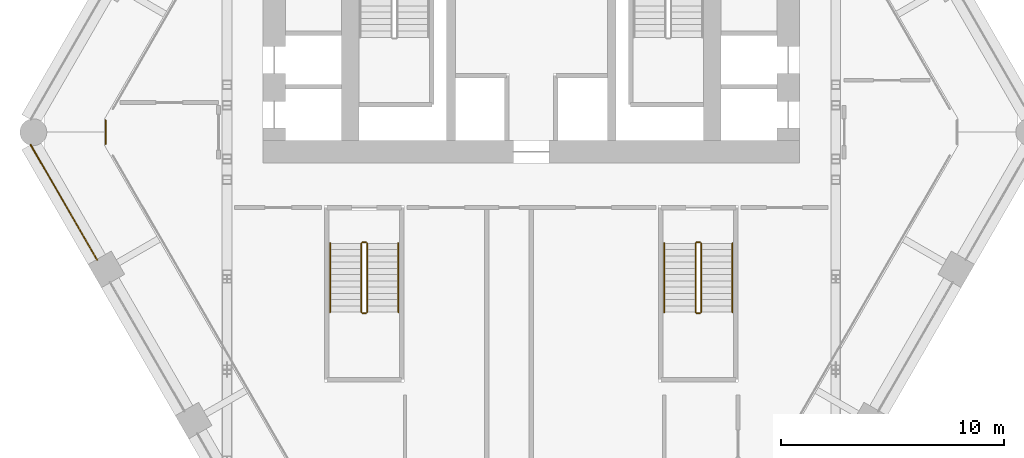
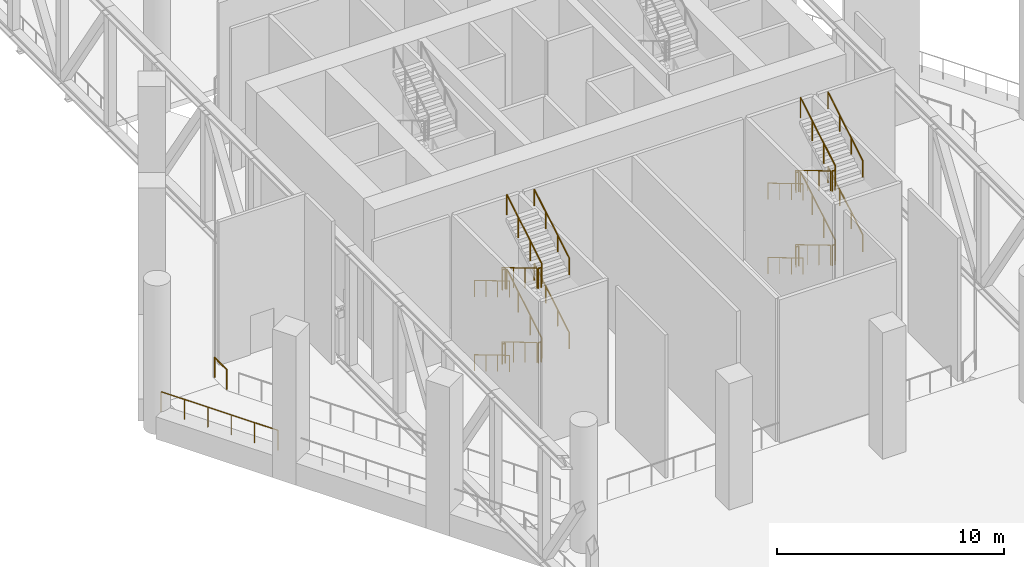
# One storey, part 13 of 16: 26 railings.
"""IFC4 building model written with IfcOpenShell, lengths in metres."""

from ifc_helpers import new_model, si_unit, direction, frame, origin, origin_2d, place, context, subcontext, project, spatial, circle, extrude, material, type_object, element, save


model = new_model("IFC4")

# Units and contexts
model_context = context("Model", 3, precision=1e-05, world=origin(), true_north=direction((0.0, 1.0)))
body_context = subcontext(model_context, "Body", "Model", "MODEL_VIEW")
ifc_project = project(units=[si_unit("LENGTHUNIT", "METRE"), si_unit("AREAUNIT", "SQUARE_METRE"), si_unit("VOLUMEUNIT", "CUBIC_METRE"), si_unit("PLANEANGLEUNIT", "RADIAN"), si_unit("MASSUNIT", "GRAM", prefix="KILO")], contexts=[model_context])

# Site, building, storey
site_placement = place(None, origin())
site = spatial("IfcSite", under=ifc_project, at=site_placement, CompositionType="ELEMENT")
building_placement = place(site_placement, origin())
building = spatial("IfcBuilding", under=site, at=building_placement, Name="Ostrander Bayou Hotel Tower", CompositionType="ELEMENT")
storey_placement = place(building_placement, frame((0.0, 0.0, 108.0)))
storey = spatial("IfcBuildingStorey", under=building, at=storey_placement, Name="L27", CompositionType="ELEMENT", Elevation=108.0)

# Railings
ifc_material_1 = material(Name="Stainless steel and clear glass", Category="steel")
railing_type_1 = type_object("IfcRailingType", Name="GR1 guard 1100 mm", PredefinedType="GUARDRAIL", material=ifc_material_1)
railing_1_placement = place(storey_placement, frame((-22.406494140625, -0.890869140625, 0.0)))
element("IfcRailing", 1, at=railing_1_placement, inside=storey, type_object=railing_type_1, Name="GR1 L27 SW-1 open band guard", PredefinedType="GUARDRAIL", context=body_context, shape_type="SweptSolid", body=[
    extrude(circle(Radius=0.02490234375, at=origin_2d()), frame((0.0, 0.0, 1.0751953125), z_axis=(0.500001626982, -0.866024464444, 0.0), x_axis=(0.866024464444, 0.500001626982, 0.0)), (0.0, 0.0, 1.0), 5.955078125),
    extrude(circle(Radius=0.02001953125, at=origin_2d()), origin(), (0.0, 0.0, 1.0), 1.050048828125),
    extrude(circle(Radius=0.02001953125, at=origin_2d()), frame((0.595458984375, -1.031494140625, 0.0)), (0.0, 0.0, 1.0), 1.050048828125),
    extrude(circle(Radius=0.02001953125, at=origin_2d()), frame((1.19091796875, -2.06298828125, 0.0)), (0.0, 0.0, 1.0), 1.050048828125),
    extrude(circle(Radius=0.02001953125, at=origin_2d()), frame((1.78662109375, -3.09423828125, 0.0)), (0.0, 0.0, 1.0), 1.050048828125),
    extrude(circle(Radius=0.02001953125, at=origin_2d()), frame((2.382080078125, -4.125732421875, 0.0)), (0.0, 0.0, 1.0), 1.050048828125),
    extrude(circle(Radius=0.02001953125, at=origin_2d()), frame((2.9775390625, -5.1572265625, 0.0)), (0.0, 0.0, 1.0), 1.050048828125),
])
railing_2_placement = place(storey_placement, frame((-19.046875, 0.205078125, 0.0)))
element("IfcRailing", 2, at=railing_2_placement, inside=storey, type_object=railing_type_1, Name="GR1 L27 corner guard 2", PredefinedType="GUARDRAIL", context=body_context, shape_type="SweptSolid", body=[
    extrude(circle(Radius=0.02490234375, at=origin_2d()), frame((0.0, 0.0, 1.0751953125), z_axis=(0.0, -1.0, 0.0), x_axis=(1.0, 0.0, 0.0)), (0.0, 0.0, 1.0), 1.06494140625),
    extrude(circle(Radius=0.02001953125, at=origin_2d()), origin(), (0.0, 0.0, 1.0), 1.050048828125),
    extrude(circle(Radius=0.02001953125, at=origin_2d()), frame((0.0, -1.06494140625, 0.0)), (0.0, 0.0, 1.0), 1.050048828125),
])
ifc_material_2 = material(Name="Steel ASTM A500 Gr C", Category="steel")
railing_type_2 = type_object("IfcRailingType", Name="GR1 stair guard 1100 mm steel", PredefinedType="GUARDRAIL", material=ifc_material_2)
railing_3_placement = place(storey_placement, frame((7.35009765625, -5.300048828125, 0.166748046875)))
element("IfcRailing", 3, at=railing_3_placement, inside=storey, type_object=railing_type_2, Name="L27 STC stair guard 1", PredefinedType="GUARDRAIL", context=body_context, shape_type="SweptSolid", body=[
    extrude(circle(Radius=0.02392578125, at=origin_2d()), frame((0.0, 0.0, 1.076171875), z_axis=(0.0, -0.859290745958, 0.51148745235), x_axis=(1.0, 0.0, 0.0)), (0.0, 0.0, 1.0), 3.584228515625),
    extrude(circle(Radius=0.02099609375, at=origin_2d()), origin(), (0.0, 0.0, 1.0), 1.052001953125),
    extrude(circle(Radius=0.02099609375, at=origin_2d()), frame((0.0, -1.026611328125, 0.611083984375)), (0.0, 0.0, 1.0), 1.052001953125),
    extrude(circle(Radius=0.02099609375, at=origin_2d()), frame((0.0, -2.05322265625, 1.22216796875)), (0.0, 0.0, 1.0), 1.052001953125),
    extrude(circle(Radius=0.02099609375, at=origin_2d()), frame((0.0, -3.079833984375, 1.833251953125)), (0.0, 0.0, 1.0), 1.052001953125),
])
railing_4_placement = place(storey_placement, frame((7.39990234375, -8.429931640625, 2.0)))
element("IfcRailing", 4, at=railing_4_placement, inside=storey, type_object=railing_type_2, Name="L27 STC stair guard 2", PredefinedType="GUARDRAIL", context=body_context, shape_type="SweptSolid", body=[
    extrude(circle(Radius=0.02392578125, at=origin_2d()), frame((0.0, 0.0, 1.076171875), z_axis=(1.0, 0.0, 0.0), x_axis=(0.0, 1.0, 0.0)), (0.0, 0.0, 1.0), 0.150146484375),
    extrude(circle(Radius=0.02099609375, at=origin_2d()), origin(), (0.0, 0.0, 1.0), 1.052001953125),
    extrude(circle(Radius=0.02099609375, at=origin_2d()), frame((0.150146484375, 0.0, 0.0)), (0.0, 0.0, 1.0), 1.052001953125),
])
railing_5_placement = place(storey_placement, frame((7.60009765625, -8.3798828125, 2.166748046875)))
element("IfcRailing", 5, at=railing_5_placement, inside=storey, type_object=railing_type_2, Name="L27 STC stair guard 3", PredefinedType="GUARDRAIL", context=body_context, shape_type="SweptSolid", body=[
    extrude(circle(Radius=0.02392578125, at=origin_2d()), frame((0.0, 0.0, 1.076171875), z_axis=(0.0, 0.859290745958, 0.51148745235), x_axis=(-1.0, 0.0, 0.0)), (0.0, 0.0, 1.0), 3.584228515625),
    extrude(circle(Radius=0.02099609375, at=origin_2d()), origin(), (0.0, 0.0, 1.0), 1.052001953125),
    extrude(circle(Radius=0.02099609375, at=origin_2d()), frame((0.0, 1.026611328125, 0.611083984375)), (0.0, 0.0, 1.0), 1.052001953125),
    extrude(circle(Radius=0.02099609375, at=origin_2d()), frame((0.0, 2.05322265625, 1.22216796875)), (0.0, 0.0, 1.0), 1.052001953125),
    extrude(circle(Radius=0.02099609375, at=origin_2d()), frame((0.0, 3.079833984375, 1.833251953125)), (0.0, 0.0, 1.0), 1.052001953125),
])
railing_6_placement = place(storey_placement, frame((7.39990234375, -5.25, 4.0)))
element("IfcRailing", 6, at=railing_6_placement, inside=storey, type_object=railing_type_2, Name="L27 STC stair guard 4", PredefinedType="GUARDRAIL", context=body_context, shape_type="SweptSolid", body=[
    extrude(circle(Radius=0.02392578125, at=origin_2d()), frame((0.0, 0.0, 1.076171875), z_axis=(1.0, 0.0, 0.0), x_axis=(0.0, 1.0, 0.0)), (0.0, 0.0, 1.0), 0.150146484375),
    extrude(circle(Radius=0.02099609375, at=origin_2d()), origin(), (0.0, 0.0, 1.0), 1.052001953125),
    extrude(circle(Radius=0.02099609375, at=origin_2d()), frame((0.150146484375, 0.0, 0.0)), (0.0, 0.0, 1.0), 1.052001953125),
])
railing_7_placement = place(storey_placement, frame((7.35009765625, -5.300048828125, 4.166748046875)))
element("IfcRailing", 7, at=railing_7_placement, inside=storey, type_object=railing_type_2, Name="L27 STC stair guard 5", PredefinedType="GUARDRAIL", context=body_context, shape_type="SweptSolid", body=[
    extrude(circle(Radius=0.02392578125, at=origin_2d()), frame((0.0, 0.0, 1.076171875), z_axis=(0.0, -0.859290745958, 0.51148745235), x_axis=(1.0, 0.0, 0.0)), (0.0, 0.0, 1.0), 3.584228515625),
    extrude(circle(Radius=0.02099609375, at=origin_2d()), origin(), (0.0, 0.0, 1.0), 1.052001953125),
    extrude(circle(Radius=0.02099609375, at=origin_2d()), frame((0.0, -1.026611328125, 0.611083984375)), (0.0, 0.0, 1.0), 1.052001953125),
    extrude(circle(Radius=0.02099609375, at=origin_2d()), frame((0.0, -2.05322265625, 1.22216796875)), (0.0, 0.0, 1.0), 1.052001953125),
    extrude(circle(Radius=0.02099609375, at=origin_2d()), frame((0.0, -3.079833984375, 1.833251953125)), (0.0, 0.0, 1.0), 1.052001953125),
])
railing_8_placement = place(storey_placement, frame((7.39990234375, -8.429931640625, 6.0)))
element("IfcRailing", 8, at=railing_8_placement, inside=storey, type_object=railing_type_2, Name="L27 STC stair guard 6", PredefinedType="GUARDRAIL", context=body_context, shape_type="SweptSolid", body=[
    extrude(circle(Radius=0.02392578125, at=origin_2d()), frame((0.0, 0.0, 1.076171875), z_axis=(1.0, 0.0, 0.0), x_axis=(0.0, 1.0, 0.0)), (0.0, 0.0, 1.0), 0.150146484375),
    extrude(circle(Radius=0.02099609375, at=origin_2d()), origin(), (0.0, 0.0, 1.0), 1.052001953125),
    extrude(circle(Radius=0.02099609375, at=origin_2d()), frame((0.150146484375, 0.0, 0.0)), (0.0, 0.0, 1.0), 1.052001953125),
])
railing_9_placement = place(storey_placement, frame((7.60009765625, -8.3798828125, 6.166748046875)))
element("IfcRailing", 9, at=railing_9_placement, inside=storey, type_object=railing_type_2, Name="L27 STC stair guard 7", PredefinedType="GUARDRAIL", context=body_context, shape_type="SweptSolid", body=[
    extrude(circle(Radius=0.02392578125, at=origin_2d()), frame((0.0, 0.0, 1.076171875), z_axis=(0.0, 0.859290745958, 0.51148745235), x_axis=(-1.0, 0.0, 0.0)), (0.0, 0.0, 1.0), 3.584228515625),
    extrude(circle(Radius=0.02099609375, at=origin_2d()), origin(), (0.0, 0.0, 1.0), 1.052001953125),
    extrude(circle(Radius=0.02099609375, at=origin_2d()), frame((0.0, 1.026611328125, 0.611083984375)), (0.0, 0.0, 1.0), 1.052001953125),
    extrude(circle(Radius=0.02099609375, at=origin_2d()), frame((0.0, 2.05322265625, 1.22216796875)), (0.0, 0.0, 1.0), 1.052001953125),
    extrude(circle(Radius=0.02099609375, at=origin_2d()), frame((0.0, 3.079833984375, 1.833251953125)), (0.0, 0.0, 1.0), 1.052001953125),
])
railing_10_placement = place(storey_placement, frame((7.39990234375, -5.25, 0.0)))
element("IfcRailing", 10, at=railing_10_placement, inside=storey, type_object=railing_type_2, Name="L27 STC stair guard 8", PredefinedType="GUARDRAIL", context=body_context, shape_type="SweptSolid", body=[
    extrude(circle(Radius=0.02392578125, at=origin_2d()), frame((0.0, 0.0, 1.076171875), z_axis=(1.0, 0.0, 0.0), x_axis=(0.0, 1.0, 0.0)), (0.0, 0.0, 1.0), 0.150146484375),
    extrude(circle(Radius=0.02099609375, at=origin_2d()), origin(), (0.0, 0.0, 1.0), 1.052001953125),
    extrude(circle(Radius=0.02099609375, at=origin_2d()), frame((0.150146484375, 0.0, 0.0)), (0.0, 0.0, 1.0), 1.052001953125),
])
railing_11_placement = place(storey_placement, frame((-7.60009765625, -5.300048828125, 0.166748046875)))
element("IfcRailing", 11, at=railing_11_placement, inside=storey, type_object=railing_type_2, Name="L27 STD stair guard 1", PredefinedType="GUARDRAIL", context=body_context, shape_type="SweptSolid", body=[
    extrude(circle(Radius=0.02392578125, at=origin_2d()), frame((0.0, 0.0, 1.076171875), z_axis=(0.0, -0.859290745958, 0.51148745235), x_axis=(1.0, 0.0, 0.0)), (0.0, 0.0, 1.0), 3.584228515625),
    extrude(circle(Radius=0.02099609375, at=origin_2d()), origin(), (0.0, 0.0, 1.0), 1.052001953125),
    extrude(circle(Radius=0.02099609375, at=origin_2d()), frame((0.0, -1.026611328125, 0.611083984375)), (0.0, 0.0, 1.0), 1.052001953125),
    extrude(circle(Radius=0.02099609375, at=origin_2d()), frame((0.0, -2.05322265625, 1.22216796875)), (0.0, 0.0, 1.0), 1.052001953125),
    extrude(circle(Radius=0.02099609375, at=origin_2d()), frame((0.0, -3.079833984375, 1.833251953125)), (0.0, 0.0, 1.0), 1.052001953125),
])
railing_12_placement = place(storey_placement, frame((-7.550048828125, -8.429931640625, 2.0)))
element("IfcRailing", 12, at=railing_12_placement, inside=storey, type_object=railing_type_2, Name="L27 STD stair guard 2", PredefinedType="GUARDRAIL", context=body_context, shape_type="SweptSolid", body=[
    extrude(circle(Radius=0.02392578125, at=origin_2d()), frame((0.0, 0.0, 1.076171875), z_axis=(1.0, 0.0, 0.0), x_axis=(0.0, 1.0, 0.0)), (0.0, 0.0, 1.0), 0.150146484375),
    extrude(circle(Radius=0.02099609375, at=origin_2d()), origin(), (0.0, 0.0, 1.0), 1.052001953125),
    extrude(circle(Radius=0.02099609375, at=origin_2d()), frame((0.150146484375, 0.0, 0.0)), (0.0, 0.0, 1.0), 1.052001953125),
])
railing_13_placement = place(storey_placement, frame((-7.35009765625, -8.3798828125, 2.166748046875)))
element("IfcRailing", 13, at=railing_13_placement, inside=storey, type_object=railing_type_2, Name="L27 STD stair guard 3", PredefinedType="GUARDRAIL", context=body_context, shape_type="SweptSolid", body=[
    extrude(circle(Radius=0.02392578125, at=origin_2d()), frame((0.0, 0.0, 1.076171875), z_axis=(0.0, 0.859290745958, 0.51148745235), x_axis=(-1.0, 0.0, 0.0)), (0.0, 0.0, 1.0), 3.584228515625),
    extrude(circle(Radius=0.02099609375, at=origin_2d()), origin(), (0.0, 0.0, 1.0), 1.052001953125),
    extrude(circle(Radius=0.02099609375, at=origin_2d()), frame((0.0, 1.026611328125, 0.611083984375)), (0.0, 0.0, 1.0), 1.052001953125),
    extrude(circle(Radius=0.02099609375, at=origin_2d()), frame((0.0, 2.05322265625, 1.22216796875)), (0.0, 0.0, 1.0), 1.052001953125),
    extrude(circle(Radius=0.02099609375, at=origin_2d()), frame((0.0, 3.079833984375, 1.833251953125)), (0.0, 0.0, 1.0), 1.052001953125),
])
railing_14_placement = place(storey_placement, frame((-7.550048828125, -5.25, 4.0)))
element("IfcRailing", 14, at=railing_14_placement, inside=storey, type_object=railing_type_2, Name="L27 STD stair guard 4", PredefinedType="GUARDRAIL", context=body_context, shape_type="SweptSolid", body=[
    extrude(circle(Radius=0.02392578125, at=origin_2d()), frame((0.0, 0.0, 1.076171875), z_axis=(1.0, 0.0, 0.0), x_axis=(0.0, 1.0, 0.0)), (0.0, 0.0, 1.0), 0.150146484375),
    extrude(circle(Radius=0.02099609375, at=origin_2d()), origin(), (0.0, 0.0, 1.0), 1.052001953125),
    extrude(circle(Radius=0.02099609375, at=origin_2d()), frame((0.150146484375, 0.0, 0.0)), (0.0, 0.0, 1.0), 1.052001953125),
])
railing_15_placement = place(storey_placement, frame((-7.60009765625, -5.300048828125, 4.166748046875)))
element("IfcRailing", 15, at=railing_15_placement, inside=storey, type_object=railing_type_2, Name="L27 STD stair guard 5", PredefinedType="GUARDRAIL", context=body_context, shape_type="SweptSolid", body=[
    extrude(circle(Radius=0.02392578125, at=origin_2d()), frame((0.0, 0.0, 1.076171875), z_axis=(0.0, -0.859290745958, 0.51148745235), x_axis=(1.0, 0.0, 0.0)), (0.0, 0.0, 1.0), 3.584228515625),
    extrude(circle(Radius=0.02099609375, at=origin_2d()), origin(), (0.0, 0.0, 1.0), 1.052001953125),
    extrude(circle(Radius=0.02099609375, at=origin_2d()), frame((0.0, -1.026611328125, 0.611083984375)), (0.0, 0.0, 1.0), 1.052001953125),
    extrude(circle(Radius=0.02099609375, at=origin_2d()), frame((0.0, -2.05322265625, 1.22216796875)), (0.0, 0.0, 1.0), 1.052001953125),
    extrude(circle(Radius=0.02099609375, at=origin_2d()), frame((0.0, -3.079833984375, 1.833251953125)), (0.0, 0.0, 1.0), 1.052001953125),
])
railing_16_placement = place(storey_placement, frame((-7.550048828125, -8.429931640625, 6.0)))
element("IfcRailing", 16, at=railing_16_placement, inside=storey, type_object=railing_type_2, Name="L27 STD stair guard 6", PredefinedType="GUARDRAIL", context=body_context, shape_type="SweptSolid", body=[
    extrude(circle(Radius=0.02392578125, at=origin_2d()), frame((0.0, 0.0, 1.076171875), z_axis=(1.0, 0.0, 0.0), x_axis=(0.0, 1.0, 0.0)), (0.0, 0.0, 1.0), 0.150146484375),
    extrude(circle(Radius=0.02099609375, at=origin_2d()), origin(), (0.0, 0.0, 1.0), 1.052001953125),
    extrude(circle(Radius=0.02099609375, at=origin_2d()), frame((0.150146484375, 0.0, 0.0)), (0.0, 0.0, 1.0), 1.052001953125),
])
railing_17_placement = place(storey_placement, frame((-7.35009765625, -8.3798828125, 6.166748046875)))
element("IfcRailing", 17, at=railing_17_placement, inside=storey, type_object=railing_type_2, Name="L27 STD stair guard 7", PredefinedType="GUARDRAIL", context=body_context, shape_type="SweptSolid", body=[
    extrude(circle(Radius=0.02392578125, at=origin_2d()), frame((0.0, 0.0, 1.076171875), z_axis=(0.0, 0.859290745958, 0.51148745235), x_axis=(-1.0, 0.0, 0.0)), (0.0, 0.0, 1.0), 3.584228515625),
    extrude(circle(Radius=0.02099609375, at=origin_2d()), origin(), (0.0, 0.0, 1.0), 1.052001953125),
    extrude(circle(Radius=0.02099609375, at=origin_2d()), frame((0.0, 1.026611328125, 0.611083984375)), (0.0, 0.0, 1.0), 1.052001953125),
    extrude(circle(Radius=0.02099609375, at=origin_2d()), frame((0.0, 2.05322265625, 1.22216796875)), (0.0, 0.0, 1.0), 1.052001953125),
    extrude(circle(Radius=0.02099609375, at=origin_2d()), frame((0.0, 3.079833984375, 1.833251953125)), (0.0, 0.0, 1.0), 1.052001953125),
])
railing_18_placement = place(storey_placement, frame((-7.550048828125, -5.25, 0.0)))
element("IfcRailing", 18, at=railing_18_placement, inside=storey, type_object=railing_type_2, Name="L27 STD stair guard 8", PredefinedType="GUARDRAIL", context=body_context, shape_type="SweptSolid", body=[
    extrude(circle(Radius=0.02392578125, at=origin_2d()), frame((0.0, 0.0, 1.076171875), z_axis=(1.0, 0.0, 0.0), x_axis=(0.0, 1.0, 0.0)), (0.0, 0.0, 1.0), 0.150146484375),
    extrude(circle(Radius=0.02099609375, at=origin_2d()), origin(), (0.0, 0.0, 1.0), 1.052001953125),
    extrude(circle(Radius=0.02099609375, at=origin_2d()), frame((0.150146484375, 0.0, 0.0)), (0.0, 0.0, 1.0), 1.052001953125),
])
ifc_material_3 = material(Name="Steel ASTM A500 Gr C", Category="steel")
railing_type_3 = type_object("IfcRailingType", Name="HR1 stair handrail 900 mm steel", PredefinedType="HANDRAIL", material=ifc_material_3)
railing_19_placement = place(storey_placement, frame((5.949951171875, -5.300048828125, 0.166748046875)))
element("IfcRailing", 19, at=railing_19_placement, inside=storey, type_object=railing_type_3, Name="L27 STC stair handrail 1", PredefinedType="HANDRAIL", context=body_context, shape_type="SweptSolid", body=[
    extrude(circle(Radius=0.02392578125, at=origin_2d()), frame((0.0, 0.0, 0.8759765625), z_axis=(0.0, -0.859290745958, 0.51148745235), x_axis=(1.0, 0.0, 0.0)), (0.0, 0.0, 1.0), 3.584228515625),
    extrude(circle(Radius=0.02099609375, at=origin_2d()), origin(), (0.0, 0.0, 1.0), 0.851806640625),
    extrude(circle(Radius=0.02099609375, at=origin_2d()), frame((0.0, -1.026611328125, 0.611083984375)), (0.0, 0.0, 1.0), 0.851806640625),
    extrude(circle(Radius=0.02099609375, at=origin_2d()), frame((0.0, -2.05322265625, 1.22216796875)), (0.0, 0.0, 1.0), 0.851806640625),
    extrude(circle(Radius=0.02099609375, at=origin_2d()), frame((0.0, -3.079833984375, 1.833251953125)), (0.0, 0.0, 1.0), 0.851806640625),
])
railing_20_placement = place(storey_placement, frame((9.0, -8.3798828125, 2.166748046875)))
element("IfcRailing", 20, at=railing_20_placement, inside=storey, type_object=railing_type_3, Name="L27 STC stair handrail 2", PredefinedType="HANDRAIL", context=body_context, shape_type="SweptSolid", body=[
    extrude(circle(Radius=0.02392578125, at=origin_2d()), frame((0.0, 0.0, 0.8759765625), z_axis=(0.0, 0.859290745958, 0.51148745235), x_axis=(-1.0, 0.0, 0.0)), (0.0, 0.0, 1.0), 3.584228515625),
    extrude(circle(Radius=0.02099609375, at=origin_2d()), origin(), (0.0, 0.0, 1.0), 0.851806640625),
    extrude(circle(Radius=0.02099609375, at=origin_2d()), frame((0.0, 1.026611328125, 0.611083984375)), (0.0, 0.0, 1.0), 0.851806640625),
    extrude(circle(Radius=0.02099609375, at=origin_2d()), frame((0.0, 2.05322265625, 1.22216796875)), (0.0, 0.0, 1.0), 0.851806640625),
    extrude(circle(Radius=0.02099609375, at=origin_2d()), frame((0.0, 3.079833984375, 1.833251953125)), (0.0, 0.0, 1.0), 0.851806640625),
])
railing_21_placement = place(storey_placement, frame((5.949951171875, -5.300048828125, 4.166748046875)))
element("IfcRailing", 21, at=railing_21_placement, inside=storey, type_object=railing_type_3, Name="L27 STC stair handrail 3", PredefinedType="HANDRAIL", context=body_context, shape_type="SweptSolid", body=[
    extrude(circle(Radius=0.02392578125, at=origin_2d()), frame((0.0, 0.0, 0.8759765625), z_axis=(0.0, -0.859290745958, 0.51148745235), x_axis=(1.0, 0.0, 0.0)), (0.0, 0.0, 1.0), 3.584228515625),
    extrude(circle(Radius=0.02099609375, at=origin_2d()), origin(), (0.0, 0.0, 1.0), 0.851806640625),
    extrude(circle(Radius=0.02099609375, at=origin_2d()), frame((0.0, -1.026611328125, 0.611083984375)), (0.0, 0.0, 1.0), 0.851806640625),
    extrude(circle(Radius=0.02099609375, at=origin_2d()), frame((0.0, -2.05322265625, 1.22216796875)), (0.0, 0.0, 1.0), 0.851806640625),
    extrude(circle(Radius=0.02099609375, at=origin_2d()), frame((0.0, -3.079833984375, 1.833251953125)), (0.0, 0.0, 1.0), 0.851806640625),
])
railing_22_placement = place(storey_placement, frame((9.0, -8.3798828125, 6.166748046875)))
element("IfcRailing", 22, at=railing_22_placement, inside=storey, type_object=railing_type_3, Name="L27 STC stair handrail 4", PredefinedType="HANDRAIL", context=body_context, shape_type="SweptSolid", body=[
    extrude(circle(Radius=0.02392578125, at=origin_2d()), frame((0.0, 0.0, 0.8759765625), z_axis=(0.0, 0.859290745958, 0.51148745235), x_axis=(-1.0, 0.0, 0.0)), (0.0, 0.0, 1.0), 3.584228515625),
    extrude(circle(Radius=0.02099609375, at=origin_2d()), origin(), (0.0, 0.0, 1.0), 0.851806640625),
    extrude(circle(Radius=0.02099609375, at=origin_2d()), frame((0.0, 1.026611328125, 0.611083984375)), (0.0, 0.0, 1.0), 0.851806640625),
    extrude(circle(Radius=0.02099609375, at=origin_2d()), frame((0.0, 2.05322265625, 1.22216796875)), (0.0, 0.0, 1.0), 0.851806640625),
    extrude(circle(Radius=0.02099609375, at=origin_2d()), frame((0.0, 3.079833984375, 1.833251953125)), (0.0, 0.0, 1.0), 0.851806640625),
])
railing_23_placement = place(storey_placement, frame((-9.0, -5.300048828125, 0.166748046875)))
element("IfcRailing", 23, at=railing_23_placement, inside=storey, type_object=railing_type_3, Name="L27 STD stair handrail 1", PredefinedType="HANDRAIL", context=body_context, shape_type="SweptSolid", body=[
    extrude(circle(Radius=0.02392578125, at=origin_2d()), frame((0.0, 0.0, 0.8759765625), z_axis=(0.0, -0.859290745958, 0.51148745235), x_axis=(1.0, 0.0, 0.0)), (0.0, 0.0, 1.0), 3.584228515625),
    extrude(circle(Radius=0.02099609375, at=origin_2d()), origin(), (0.0, 0.0, 1.0), 0.851806640625),
    extrude(circle(Radius=0.02099609375, at=origin_2d()), frame((0.0, -1.026611328125, 0.611083984375)), (0.0, 0.0, 1.0), 0.851806640625),
    extrude(circle(Radius=0.02099609375, at=origin_2d()), frame((0.0, -2.05322265625, 1.22216796875)), (0.0, 0.0, 1.0), 0.851806640625),
    extrude(circle(Radius=0.02099609375, at=origin_2d()), frame((0.0, -3.079833984375, 1.833251953125)), (0.0, 0.0, 1.0), 0.851806640625),
])
railing_24_placement = place(storey_placement, frame((-5.949951171875, -8.3798828125, 2.166748046875)))
element("IfcRailing", 24, at=railing_24_placement, inside=storey, type_object=railing_type_3, Name="L27 STD stair handrail 2", PredefinedType="HANDRAIL", context=body_context, shape_type="SweptSolid", body=[
    extrude(circle(Radius=0.02392578125, at=origin_2d()), frame((0.0, 0.0, 0.8759765625), z_axis=(0.0, 0.859290745958, 0.51148745235), x_axis=(-1.0, 0.0, 0.0)), (0.0, 0.0, 1.0), 3.584228515625),
    extrude(circle(Radius=0.02099609375, at=origin_2d()), origin(), (0.0, 0.0, 1.0), 0.851806640625),
    extrude(circle(Radius=0.02099609375, at=origin_2d()), frame((0.0, 1.026611328125, 0.611083984375)), (0.0, 0.0, 1.0), 0.851806640625),
    extrude(circle(Radius=0.02099609375, at=origin_2d()), frame((0.0, 2.05322265625, 1.22216796875)), (0.0, 0.0, 1.0), 0.851806640625),
    extrude(circle(Radius=0.02099609375, at=origin_2d()), frame((0.0, 3.079833984375, 1.833251953125)), (0.0, 0.0, 1.0), 0.851806640625),
])
railing_25_placement = place(storey_placement, frame((-9.0, -5.300048828125, 4.166748046875)))
element("IfcRailing", 25, at=railing_25_placement, inside=storey, type_object=railing_type_3, Name="L27 STD stair handrail 3", PredefinedType="HANDRAIL", context=body_context, shape_type="SweptSolid", body=[
    extrude(circle(Radius=0.02392578125, at=origin_2d()), frame((0.0, 0.0, 0.8759765625), z_axis=(0.0, -0.859290745958, 0.51148745235), x_axis=(1.0, 0.0, 0.0)), (0.0, 0.0, 1.0), 3.584228515625),
    extrude(circle(Radius=0.02099609375, at=origin_2d()), origin(), (0.0, 0.0, 1.0), 0.851806640625),
    extrude(circle(Radius=0.02099609375, at=origin_2d()), frame((0.0, -1.026611328125, 0.611083984375)), (0.0, 0.0, 1.0), 0.851806640625),
    extrude(circle(Radius=0.02099609375, at=origin_2d()), frame((0.0, -2.05322265625, 1.22216796875)), (0.0, 0.0, 1.0), 0.851806640625),
    extrude(circle(Radius=0.02099609375, at=origin_2d()), frame((0.0, -3.079833984375, 1.833251953125)), (0.0, 0.0, 1.0), 0.851806640625),
])
railing_26_placement = place(storey_placement, frame((-5.949951171875, -8.3798828125, 6.166748046875)))
element("IfcRailing", 26, at=railing_26_placement, inside=storey, type_object=railing_type_3, Name="L27 STD stair handrail 4", PredefinedType="HANDRAIL", context=body_context, shape_type="SweptSolid", body=[
    extrude(circle(Radius=0.02392578125, at=origin_2d()), frame((0.0, 0.0, 0.8759765625), z_axis=(0.0, 0.859290745958, 0.51148745235), x_axis=(-1.0, 0.0, 0.0)), (0.0, 0.0, 1.0), 3.584228515625),
    extrude(circle(Radius=0.02099609375, at=origin_2d()), origin(), (0.0, 0.0, 1.0), 0.851806640625),
    extrude(circle(Radius=0.02099609375, at=origin_2d()), frame((0.0, 1.026611328125, 0.611083984375)), (0.0, 0.0, 1.0), 0.851806640625),
    extrude(circle(Radius=0.02099609375, at=origin_2d()), frame((0.0, 2.05322265625, 1.22216796875)), (0.0, 0.0, 1.0), 0.851806640625),
    extrude(circle(Radius=0.02099609375, at=origin_2d()), frame((0.0, 3.079833984375, 1.833251953125)), (0.0, 0.0, 1.0), 0.851806640625),
])

save(model, "model.ifc")
